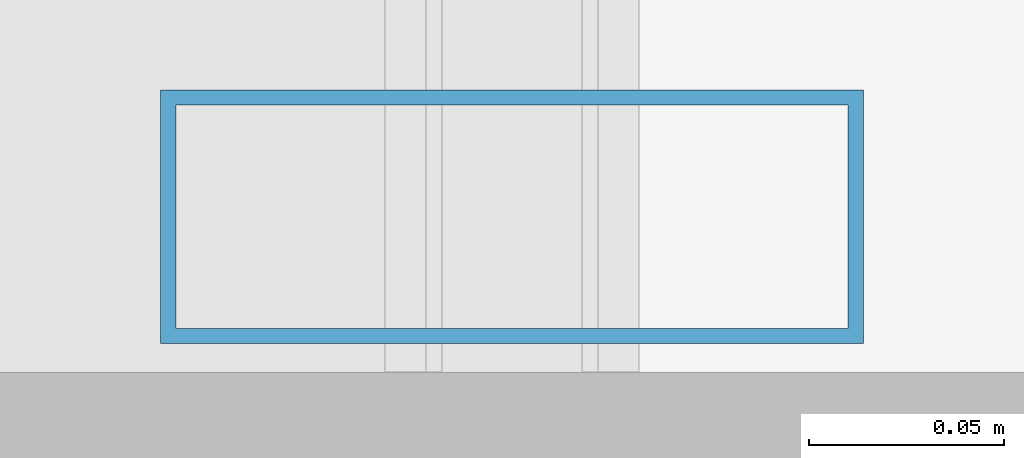
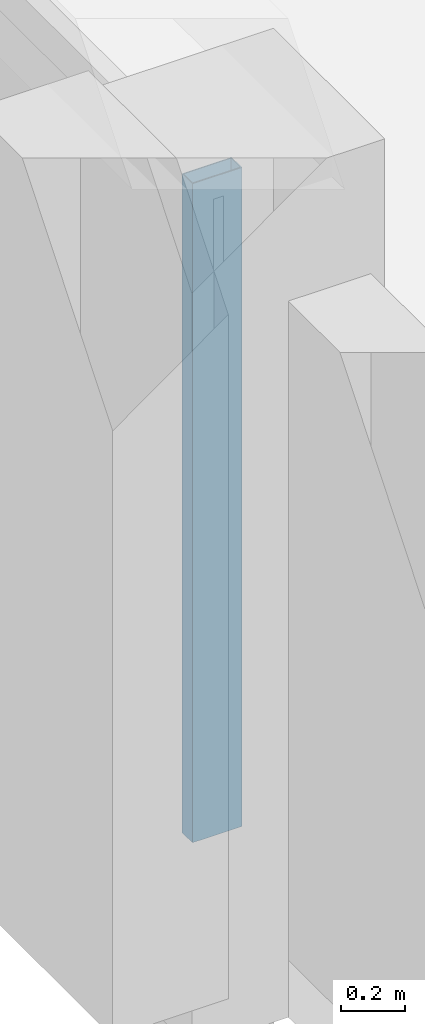
# One storey, part 2 of 21: 1 member, 1 element without a shape of its own.
"""IFC4 building model written with IfcOpenShell, lengths in metres."""

from ifc_helpers import new_model, si_unit, direction, frame, origin, origin_2d, place, context, subcontext, project, spatial, hollow_rectangle, extrude, material, material_profile, profile_set, type_object, element, aggregate, save


model = new_model("IFC4")

# Units and contexts
model_context = context("Model", 3, precision=1e-05, world=origin(), true_north=direction((0.0, 1.0)))
body_context = subcontext(model_context, "Body", "Model", "MODEL_VIEW")
ifc_project = project(units=[si_unit("LENGTHUNIT", "METRE"), si_unit("AREAUNIT", "SQUARE_METRE"), si_unit("VOLUMEUNIT", "CUBIC_METRE"), si_unit("PLANEANGLEUNIT", "RADIAN"), si_unit("MASSUNIT", "GRAM", prefix="KILO")], contexts=[model_context])

# Site, building, storey
site_placement = place(None, origin())
site = spatial("IfcSite", under=ifc_project, at=site_placement, CompositionType="ELEMENT")
building_placement = place(site_placement, origin())
building = spatial("IfcBuilding", under=site, at=building_placement, Name="Akrevak Sports Hall", CompositionType="ELEMENT")
storey_placement = place(building_placement, frame((0.0, 0.0, 53.550048828125)))
storey = spatial("IfcBuildingStorey", under=building, at=storey_placement, Name="L13", CompositionType="ELEMENT", Elevation=53.550048828125)

# Curtain wall, member
ifc_material_1 = material(Name="Anodized Bronze Aluminium & Low-E Glass", Category="aluminium")
curtain_wall_type = type_object("IfcCurtainWallType", Name="ARC-CW-TWR-68x30", PredefinedType="NOTDEFINED", material=ifc_material_1)
curtain_wall_placement = place(storey_placement, origin())
curtain_wall = element("IfcCurtainWall", 1, at=curtain_wall_placement, inside=storey, type_object=curtain_wall_type, Name="Curtain Wall CW-L13-W29", PredefinedType="NOTDEFINED")
ifc_material_2 = material(Name="Anodized Bronze Aluminium", Category="aluminium")
ifc_material_profile = material_profile(ifc_material_2, hollow_rectangle(XDim=0.06494140625, YDim=0.179931640625, WallThickness=0.00390625, at=origin_2d()), Name="CWM 65x180", Category="aluminium")
ifc_profile_set = profile_set([ifc_material_profile], Name="Anodized Bronze Aluminium")
member_type = type_object("IfcMemberType", Name="ARC-CWM-65x140", PredefinedType="MULLION", material=ifc_profile_set)
member_placement = place(storey_placement, frame((52.64990234375, 42.389892578125, 0.0), z_axis=(0.0, 0.0, 1.0), x_axis=(0.0, -1.0, 0.0)))
member = element("IfcMember", 2, at=member_placement, type_object=member_type, Name="Curtain Wall Mullion CW-L13-W29-M3", PredefinedType="MULLION", context=body_context, shape_type="SweptSolid", body=[
    extrude(hollow_rectangle(XDim=0.06494140625, YDim=0.179931640625, WallThickness=0.00390625, at=origin_2d()), origin(), (0.0, 0.0, 1.0), 2.530029296875),
])
aggregate(curtain_wall, [member])

save(model, "model.ifc")
